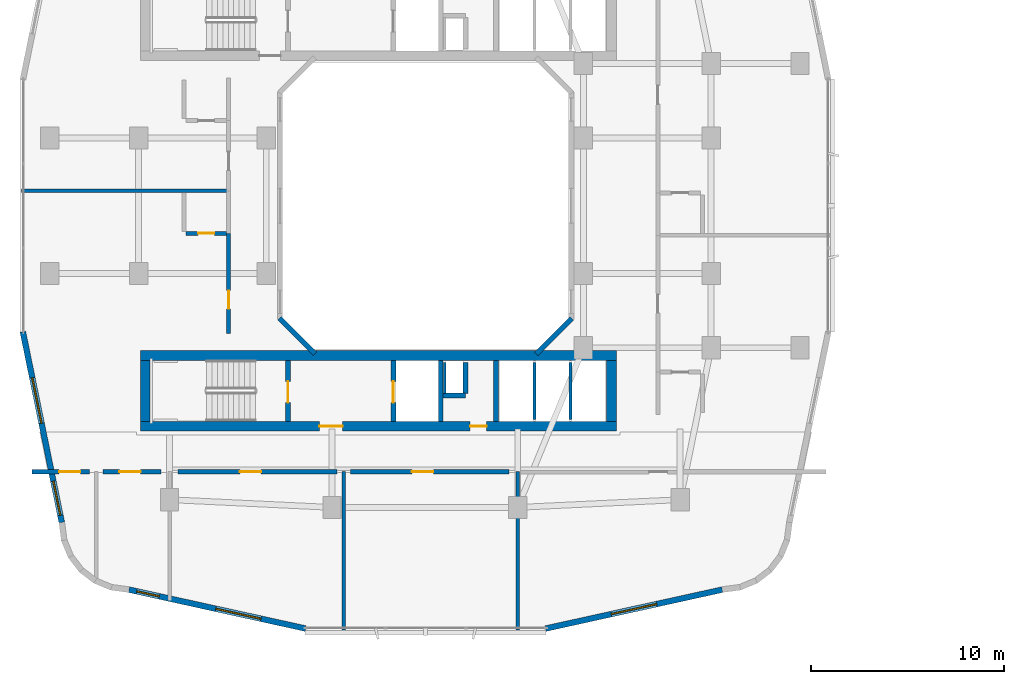
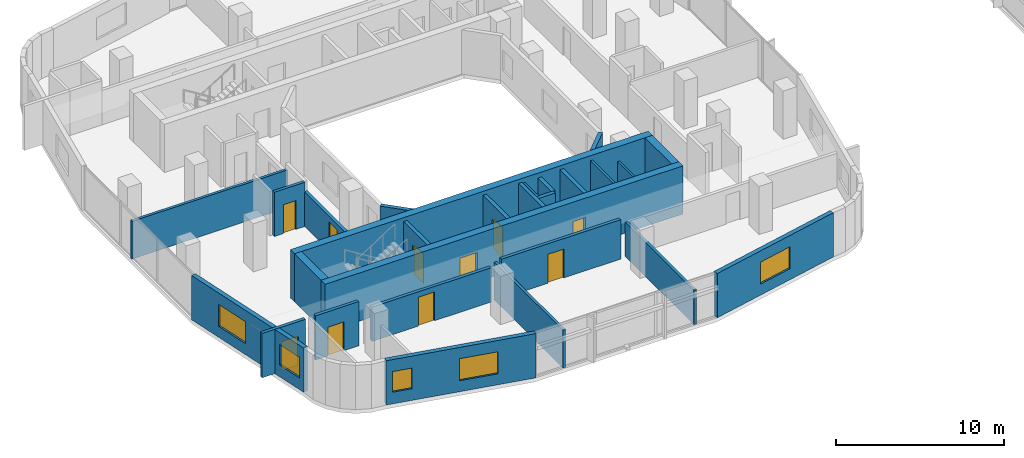
# One storey, part 13 of 26: 27 walls, 10 doors, 5 windows, 15 openings.
"""IFC4 building model written with IfcOpenShell, lengths in metres."""

from ifc_helpers import new_model, si_unit, derived_unit, direction, frame, frame_2d, origin, place, context, subcontext, project, spatial, rectangle, extrude, material, layer, layer_set, type_object, element, fill, save


model = new_model("IFC4")

# Units and contexts
model_context = context("Model", 3, precision=1e-05, world=origin(), true_north=direction((0.0, 1.0)))
body_context = subcontext(model_context, "Body", "Model", "MODEL_VIEW")
ifc_project = project(units=[si_unit("LENGTHUNIT", "METRE"), si_unit("AREAUNIT", "SQUARE_METRE"), si_unit("VOLUMEUNIT", "CUBIC_METRE"), si_unit("PLANEANGLEUNIT", "RADIAN"), si_unit("MASSUNIT", "GRAM", prefix="KILO"), derived_unit("THERMALTRANSMITTANCEUNIT", [(si_unit("POWERUNIT", "WATT"), 1), (si_unit("LENGTHUNIT", "METRE"), -2), (si_unit("THERMODYNAMICTEMPERATUREUNIT", "KELVIN"), -1)])], contexts=[model_context])

# Site, building, storey
site_placement = place(None, origin())
site = spatial("IfcSite", under=ifc_project, at=site_placement, CompositionType="ELEMENT")
building_placement = place(site_placement, origin())
building = spatial("IfcBuilding", under=site, at=building_placement, Name="Kivonza Crest Hotel", CompositionType="ELEMENT")
storey_placement = place(building_placement, frame((0.0, 0.0, 62.5)))
storey = spatial("IfcBuildingStorey", under=building, at=storey_placement, Name="L16", CompositionType="ELEMENT", Elevation=62.5)

# Walls
ifc_material_1 = material(Name="High-density acoustic masonry inter-tenancy wall", Category="masonry")
ifc_layer_1 = layer(ifc_material_1, 0.179931640625)
ifc_layer_set_1 = layer_set([ifc_layer_1], Name="High-density acoustic masonry inter-tenancy wall")
wall_type_1 = type_object("IfcWallType", Name="WL-ACOU-180", PredefinedType="SOLIDWALL", material=ifc_layer_set_1)
wall_1_placement = place(storey_placement, frame((16.800048828125, 3.06005859375, 0.0), z_axis=(0.0, 0.0, 1.0), x_axis=(0.0, 1.0, 0.0)))
element("IfcWall", 1, at=wall_1_placement, inside=storey, type_object=wall_type_1, Name="L16 interior partition WA-L16-T1S-SPDIV1", PredefinedType="SOLIDWALL", context=body_context, shape_type="SweptSolid", body=[
    extrude(rectangle(XDim=8.18994140625, YDim=0.179931640625, at=frame_2d((4.094970703125, 0.0))), origin(), (0.0, 0.0, 1.0), 2.7451171875),
])
wall_2_placement = place(storey_placement, frame((25.800048828125, 3.06005859375, 0.0), z_axis=(0.0, 0.0, 1.0), x_axis=(0.0, 1.0, 0.0)))
element("IfcWall", 2, at=wall_2_placement, inside=storey, type_object=wall_type_1, Name="L16 interior partition WA-L16-T1S-DIV2", PredefinedType="SOLIDWALL", context=body_context, shape_type="SweptSolid", body=[
    extrude(rectangle(XDim=8.18994140625, YDim=0.179931640625, at=frame_2d((4.094970703125, 0.0))), origin(), (0.0, 0.0, 1.0), 2.4951171875),
])
wall_3_placement = place(storey_placement, frame((0.139892578125, 25.77001953125, 0.0), z_axis=(0.0, 0.0, 1.0), x_axis=(1.0, 0.0, 0.0)))
element("IfcWall", 3, at=wall_3_placement, inside=storey, type_object=wall_type_1, Name="L16 interior partition WA-L16-T1W-DIV1", PredefinedType="SOLIDWALL", context=body_context, shape_type="SweptSolid", body=[
    extrude(rectangle(XDim=10.710205078125, YDim=0.179931640625, at=frame_2d((5.35498046875, 0.0))), origin(), (0.0, 0.0, 1.0), 2.7451171875),
])

# Wall, opening, door
ifc_material_2 = material(Name="Autoclaved aerated concrete blockwork", Category="masonry")
ifc_layer_2 = layer(ifc_material_2, 0.219970703125)
ifc_layer_set_2 = layer_set([ifc_layer_2], Name="Autoclaved aerated concrete blockwork")
wall_type_2 = type_object("IfcWallType", Name="WL-ACOU-220", PredefinedType="SOLIDWALL", material=ifc_layer_set_2)
wall_4_placement = place(storey_placement, frame((0.68994140625, 11.25, 0.0), z_axis=(0.0, 0.0, 1.0), x_axis=(1.0, 0.0, 0.0)))
wall_4 = element("IfcWall", 4, at=wall_4_placement, inside=storey, type_object=wall_type_2, Name="L16 interior partition WA-L16-Z1-BIZ0A-N", PredefinedType="SOLIDWALL", context=body_context, shape_type="SweptSolid", body=[
    extrude(rectangle(XDim=2.97998046875, YDim=0.219970703125, at=frame_2d((1.489990234375, 0.0))), origin(), (0.0, 0.0, 1.0), 3.219970703125),
])
opening_1_placement = place(wall_4_placement, frame((1.39599609375, 0.0, 0.0)))
opening_1 = element("IfcOpeningElement", 5, at=opening_1_placement, cuts=wall_4, Name="Opening DF-60M", PredefinedType="OPENING", context=body_context, shape_type="SweptSolid", body=[
    extrude(rectangle(XDim=1.10009765625, YDim=2.10009765625, at=frame_2d((0.550048828125, 1.050048828125))), frame((0.0, 0.1201171875, 0.0), z_axis=(0.0, -1.0, 0.0), x_axis=(1.0, 0.0, 0.0)), (0.0, 0.0, 1.0), 0.239990234375),
])
ifc_material_3 = material(Name="Hardwood timber oak", Category="wood")
door_type_1 = type_object("IfcDoorType", Name="DR-FD60-1100", OperationType="NOTDEFINED", PredefinedType="DOOR", material=ifc_material_3)
door_1_placement = place(opening_1_placement, frame((1.10009765625, 0.0, 0.0), z_axis=(0.0, 0.0, 1.0), x_axis=(-1.0, 0.0, 0.0)))
door_1 = element("IfcDoor", 6, at=door_1_placement, inside=storey, type_object=door_type_1, Name="L16 Executive Sky Business Office door", OperationType="SINGLE_SWING_RIGHT", OverallHeight=2.10009765625, OverallWidth=1.10009765625, PredefinedType="DOOR", context=body_context, shape_type="SweptSolid", body=[
    extrude(rectangle(XDim=1.10009765625, YDim=2.10009765625, at=frame_2d((0.550048828125, 1.050048828125))), frame((0.0, 0.02490234375, 0.0), z_axis=(0.0, -1.0, 0.0), x_axis=(1.0, 0.0, 0.0)), (0.0, 0.0, 1.0), 0.050048828125),
])
fill(opening_1, door_1)

wall_5_placement = place(storey_placement, frame((4.3701171875, 11.25, 0.0), z_axis=(0.0, 0.0, 1.0), x_axis=(1.0, 0.0, 0.0)))
wall_5 = element("IfcWall", 7, at=wall_5_placement, inside=storey, type_object=wall_type_2, Name="L16 interior partition WA-L16-Z1-BIZ0B-N", PredefinedType="SOLIDWALL", context=body_context, shape_type="SweptSolid", body=[
    extrude(rectangle(XDim=2.97998046875, YDim=0.219970703125, at=frame_2d((1.489990234375, 0.0))), origin(), (0.0, 0.0, 1.0), 3.219970703125),
])
opening_2_placement = place(wall_5_placement, frame((0.8359375, 0.0, 0.0)))
opening_2 = element("IfcOpeningElement", 8, at=opening_2_placement, cuts=wall_5, Name="Opening DF-60M", PredefinedType="OPENING", context=body_context, shape_type="SweptSolid", body=[
    extrude(rectangle(XDim=1.10009765625, YDim=2.10009765625, at=frame_2d((0.550048828125, 1.050048828125))), frame((0.0, 0.1201171875, 0.0), z_axis=(0.0, -1.0, 0.0), x_axis=(1.0, 0.0, 0.0)), (0.0, 0.0, 1.0), 0.239990234375),
])
door_2_placement = place(opening_2_placement, frame((1.10009765625, 0.0, 0.0), z_axis=(0.0, 0.0, 1.0), x_axis=(-1.0, 0.0, 0.0)))
door_2 = element("IfcDoor", 9, at=door_2_placement, inside=storey, type_object=door_type_1, Name="L16 Club Conference Boardroom door", OperationType="SINGLE_SWING_LEFT", OverallHeight=2.10009765625, OverallWidth=1.10009765625, PredefinedType="DOOR", context=body_context, shape_type="SweptSolid", body=[
    extrude(rectangle(XDim=1.10009765625, YDim=2.10009765625, at=frame_2d((0.550048828125, 1.050048828125))), frame((0.0, 0.02490234375, 0.0), z_axis=(0.0, -1.0, 0.0), x_axis=(1.0, 0.0, 0.0)), (0.0, 0.0, 1.0), 0.050048828125),
])
fill(opening_2, door_2)

wall_6_placement = place(storey_placement, frame((8.25, 11.25, 0.0), z_axis=(0.0, 0.0, 1.0), x_axis=(1.0, 0.0, 0.0)))
wall_6 = element("IfcWall", 10, at=wall_6_placement, inside=storey, type_object=wall_type_2, Name="L16 interior partition WA-L16-Z1-BIZ1A-N", PredefinedType="SOLIDWALL", context=body_context, shape_type="SweptSolid", body=[
    extrude(rectangle(XDim=8.199951171875, YDim=0.219970703125, at=frame_2d((4.10009765625, 0.0))), origin(), (0.0, 0.0, 1.0), 2.4951171875),
])
opening_3_placement = place(wall_6_placement, frame((3.18505859375, 0.0, 0.0)))
opening_3 = element("IfcOpeningElement", 11, at=opening_3_placement, cuts=wall_6, Name="Opening DF-60M", PredefinedType="OPENING", context=body_context, shape_type="SweptSolid", body=[
    extrude(rectangle(XDim=1.10009765625, YDim=2.10009765625, at=frame_2d((0.550048828125, 1.050048828125))), frame((0.0, 0.1201171875, 0.0), z_axis=(0.0, -1.0, 0.0), x_axis=(1.0, 0.0, 0.0)), (0.0, 0.0, 1.0), 0.239990234375),
])
door_3_placement = place(opening_3_placement, frame((1.10009765625, 0.0, 0.0), z_axis=(0.0, 0.0, 1.0), x_axis=(-1.0, 0.0, 0.0)))
door_3 = element("IfcDoor", 12, at=door_3_placement, inside=storey, type_object=door_type_1, Name="L16 Executive Sky Business Office door", OperationType="SINGLE_SWING_RIGHT", OverallHeight=2.10009765625, OverallWidth=1.10009765625, PredefinedType="DOOR", context=body_context, shape_type="SweptSolid", body=[
    extrude(rectangle(XDim=1.10009765625, YDim=2.10009765625, at=frame_2d((0.550048828125, 1.050048828125))), frame((0.0, 0.02490234375, 0.0), z_axis=(0.0, -1.0, 0.0), x_axis=(1.0, 0.0, 0.0)), (0.0, 0.0, 1.0), 0.050048828125),
])
fill(opening_3, door_3)

wall_7_placement = place(storey_placement, frame((17.14990234375, 11.25, 0.0), z_axis=(0.0, 0.0, 1.0), x_axis=(1.0, 0.0, 0.0)))
wall_7 = element("IfcWall", 13, at=wall_7_placement, inside=storey, type_object=wall_type_2, Name="L16 interior partition WA-L16-Z1-BIZ1B-N", PredefinedType="SOLIDWALL", context=body_context, shape_type="SweptSolid", body=[
    extrude(rectangle(XDim=8.2001953125, YDim=0.219970703125, at=frame_2d((4.10009765625, 0.0))), origin(), (0.0, 0.0, 1.0), 2.864990234375),
])
opening_4_placement = place(wall_7_placement, frame((3.18505859375, 0.0, 0.0)))
opening_4 = element("IfcOpeningElement", 14, at=opening_4_placement, cuts=wall_7, Name="Opening DF-60M", PredefinedType="OPENING", context=body_context, shape_type="SweptSolid", body=[
    extrude(rectangle(XDim=1.10009765625, YDim=2.10009765625, at=frame_2d((0.550048828125, 1.050048828125))), frame((0.0, 0.1201171875, 0.0), z_axis=(0.0, -1.0, 0.0), x_axis=(1.0, 0.0, 0.0)), (0.0, 0.0, 1.0), 0.239990234375),
])
door_4_placement = place(opening_4_placement, frame((1.10009765625, 0.0, 0.0), z_axis=(0.0, 0.0, 1.0), x_axis=(-1.0, 0.0, 0.0)))
door_4 = element("IfcDoor", 15, at=door_4_placement, inside=storey, type_object=door_type_1, Name="L16 Club Conference Boardroom door", OperationType="SINGLE_SWING_LEFT", OverallHeight=2.10009765625, OverallWidth=1.10009765625, PredefinedType="DOOR", context=body_context, shape_type="SweptSolid", body=[
    extrude(rectangle(XDim=1.10009765625, YDim=2.10009765625, at=frame_2d((0.550048828125, 1.050048828125))), frame((0.0, 0.02490234375, 0.0), z_axis=(0.0, -1.0, 0.0), x_axis=(1.0, 0.0, 0.0)), (0.0, 0.0, 1.0), 0.050048828125),
])
fill(opening_4, door_4)

wall_8_placement = place(storey_placement, frame((10.85009765625, 18.39990234375, 0.0), z_axis=(0.0, 0.0, 1.0), x_axis=(0.0, 1.0, 0.0)))
wall_8 = element("IfcWall", 16, at=wall_8_placement, inside=storey, type_object=wall_type_2, Name="L16 interior partition WA-L16-W02-MCORR", PredefinedType="SOLIDWALL", context=body_context, shape_type="SweptSolid", body=[
    extrude(rectangle(XDim=5.170166015625, YDim=0.219970703125, at=frame_2d((2.5849609375, 0.0))), origin(), (0.0, 0.0, 1.0), 2.4951171875),
])
opening_5_placement = place(wall_8_placement, frame((1.260009765625, 0.0, 0.0)))
opening_5 = element("IfcOpeningElement", 17, at=opening_5_placement, cuts=wall_8, Name="Opening DU-60", PredefinedType="OPENING", context=body_context, shape_type="SweptSolid", body=[
    extrude(rectangle(XDim=0.949951171875, YDim=2.10009765625, at=frame_2d((0.47509765625, 1.050048828125))), frame((0.0, 0.1201171875, 0.0), z_axis=(0.0, -1.0, 0.0), x_axis=(1.0, 0.0, 0.0)), (0.0, 0.0, 1.0), 0.239990234375),
])
door_type_2 = type_object("IfcDoorType", Name="DR-UNIT-950", OperationType="NOTDEFINED", PredefinedType="DOOR", material=ifc_material_3)
door_5_placement = place(opening_5_placement, origin())
door_5 = element("IfcDoor", 18, at=door_5_placement, inside=storey, type_object=door_type_2, Name="L16 W02 guest unit entrance fire door", OperationType="SINGLE_SWING_RIGHT", OverallHeight=2.10009765625, OverallWidth=0.949951171875, PredefinedType="DOOR", context=body_context, shape_type="SweptSolid", body=[
    extrude(rectangle(XDim=0.949951171875, YDim=2.10009765625, at=frame_2d((0.47509765625, 1.050048828125))), frame((0.0, 0.02490234375, 0.0), z_axis=(0.0, -1.0, 0.0), x_axis=(1.0, 0.0, 0.0)), (0.0, 0.0, 1.0), 0.050048828125),
])
fill(opening_5, door_5)

# Wall, openings, doors
ifc_material_4 = material(Name="Concrete C60/75", Category="concrete")
ifc_layer_3 = layer(ifc_material_4, 0.5)
ifc_layer_set_3 = layer_set([ifc_layer_3], Name="Concrete C60/75")
wall_type_3 = type_object("IfcWallType", Name="WL-CORE-500", PredefinedType="SHEAR", material=ifc_layer_set_3)
wall_9_placement = place(storey_placement, frame((6.300048828125, 13.590087890625, 0.0), z_axis=(0.0, 0.0, 1.0), x_axis=(1.0, 0.0, 0.0)))
wall_9 = element("IfcWall", 19, at=wall_9_placement, inside=storey, type_object=wall_type_3, Name="Core wall T1-S South L16", PredefinedType="SHEAR", context=body_context, shape_type="SweptSolid", body=[
    extrude(rectangle(XDim=24.599853515625, YDim=0.5, at=frame_2d((12.2998046875, 0.0))), origin(), (0.0, 0.0, 1.0), 3.5),
])
opening_6_placement = place(wall_9_placement, frame((9.25, 0.0, 0.0)))
opening_6 = element("IfcOpeningElement", 20, at=opening_6_placement, cuts=wall_9, Name="Opening DF-60", PredefinedType="OPENING", context=body_context, shape_type="SweptSolid", body=[
    extrude(rectangle(XDim=1.199951171875, YDim=2.14990234375, at=frame_2d((0.60009765625, 1.074951171875))), frame((0.0, 0.260009765625, 0.0), z_axis=(0.0, -1.0, 0.0), x_axis=(1.0, 0.0, 0.0)), (0.0, 0.0, 1.0), 0.52001953125),
])
opening_7_placement = place(wall_9_placement, frame((17.0400390625, 0.0, 0.0)))
opening_7 = element("IfcOpeningElement", 21, at=opening_7_placement, cuts=wall_9, Name="Opening DF-60R", PredefinedType="OPENING", context=body_context, shape_type="SweptSolid", body=[
    extrude(rectangle(XDim=0.85009765625, YDim=2.10009765625, at=frame_2d((0.425048828125, 1.050048828125))), frame((0.0, 0.260009765625, 0.0), z_axis=(0.0, -1.0, 0.0), x_axis=(1.0, 0.0, 0.0)), (0.0, 0.0, 1.0), 0.52001953125),
])
door_type_3 = type_object("IfcDoorType", Name="DR-FD60-1200", OperationType="NOTDEFINED", PredefinedType="DOOR", material=ifc_material_3)
door_6_placement = place(opening_6_placement, frame((1.199951171875, 0.0, 0.0), z_axis=(0.0, 0.0, 1.0), x_axis=(-1.0, 0.0, 0.0)))
door_6 = element("IfcDoor", 22, at=door_6_placement, inside=storey, type_object=door_type_3, Name="L16 T1-S firefighting lobby fire door", OperationType="SINGLE_SWING_LEFT", OverallHeight=2.14990234375, OverallWidth=1.199951171875, PredefinedType="DOOR", context=body_context, shape_type="SweptSolid", body=[
    extrude(rectangle(XDim=1.199951171875, YDim=2.14990234375, at=frame_2d((0.60009765625, 1.074951171875))), frame((0.0, 0.02490234375, 0.0), z_axis=(0.0, -1.0, 0.0), x_axis=(1.0, 0.0, 0.0)), (0.0, 0.0, 1.0), 0.050048828125),
])
fill(opening_6, door_6)
door_type_4 = type_object("IfcDoorType", Name="DR-FD60-850", OperationType="NOTDEFINED", PredefinedType="DOOR", material=ifc_material_3)
door_7_placement = place(opening_7_placement, frame((0.85009765625, 0.0, 0.0), z_axis=(0.0, 0.0, 1.0), x_axis=(-1.0, 0.0, 0.0)))
door_7 = element("IfcDoor", 23, at=door_7_placement, inside=storey, type_object=door_type_4, Name="L16 T1-S core room door", OperationType="SINGLE_SWING_RIGHT", OverallHeight=2.10009765625, OverallWidth=0.85009765625, PredefinedType="DOOR", context=body_context, shape_type="SweptSolid", body=[
    extrude(rectangle(XDim=0.85009765625, YDim=2.10009765625, at=frame_2d((0.425048828125, 1.050048828125))), frame((0.0, 0.02490234375, 0.0), z_axis=(0.0, -1.0, 0.0), x_axis=(1.0, 0.0, 0.0)), (0.0, 0.0, 1.0), 0.050048828125),
])
fill(opening_7, door_7)

# Walls
wall_10_placement = place(storey_placement, frame((6.300048828125, 17.25, 0.0), z_axis=(0.0, 0.0, 1.0), x_axis=(1.0, 0.0, 0.0)))
element("IfcWall", 24, at=wall_10_placement, inside=storey, type_object=wall_type_3, Name="Core wall T1-S North L16", PredefinedType="SHEAR", context=body_context, shape_type="SweptSolid", body=[
    extrude(rectangle(XDim=24.599853515625, YDim=0.5, at=frame_2d((12.2998046875, 0.0))), origin(), (0.0, 0.0, 1.0), 3.5),
])
for number, where, z_axis, x_axis, name in (
    (25, (6.550048828125, 13.840087890625, 0.0), (0.0, 0.0, 1.0), (0.0, 1.0, 0.0), "Core wall T1-S West L16"),
    (26, (30.64990234375, 13.840087890625, 0.0), (0.0, 0.0, 1.0), (0.0, 1.0, 0.0), "Core wall T1-S East L16"),
):
    element("IfcWall", number, at=place(storey_placement, frame(where, z_axis=z_axis, x_axis=x_axis)), inside=storey, type_object=wall_type_3, Name=name, PredefinedType="SHEAR", context=body_context, shape_type="SweptSolid", body=[
        extrude(rectangle(XDim=3.159912109375, YDim=0.5, at=frame_2d((1.580078125, 0.0))), origin(), (0.0, 0.0, 1.0), 3.5),
    ])
ifc_material_5 = material(Name="Precast concrete C40/50", Category="concrete")
ifc_layer_4 = layer(ifc_material_5, 0.260009765625)
ifc_layer_set_4 = layer_set([ifc_layer_4], Name="Precast concrete C40/50")
wall_type_4 = type_object("IfcWallType", Name="WL-EXT-260", PredefinedType="STANDARD", material=ifc_layer_set_4)
wall_11_placement = place(storey_placement, frame((26.761962890625, 17.337890625, 0.0), z_axis=(0.0, 0.0, 1.0), x_axis=(0.707059717605, 0.707153841636, 0.0)))
element("IfcWall", 27, at=wall_11_placement, inside=storey, type_object=wall_type_4, Name="L16 T1 light-well exterior wall 2", PredefinedType="STANDARD", context=body_context, shape_type="SweptSolid", body=[
    extrude(rectangle(XDim=2.59375, YDim=0.260009765625, at=frame_2d((1.296875, 0.0))), origin(), (0.0, 0.0, 1.0), 3.219970703125),
])
wall_12_placement = place(storey_placement, frame((13.48388671875, 19.172119140625, 0.0), z_axis=(0.0, 0.0, 1.0), x_axis=(0.707106781187, -0.707106781187, 0.0)))
element("IfcWall", 28, at=wall_12_placement, inside=storey, type_object=wall_type_4, Name="L16 T1 light-well exterior wall 8", PredefinedType="STANDARD", context=body_context, shape_type="SweptSolid", body=[
    extrude(rectangle(XDim=2.593994140625, YDim=0.260009765625, at=frame_2d((1.296875, 0.0))), origin(), (0.0, 0.0, 1.0), 3.219970703125),
])

# Wall, openings, windows
ifc_layer_5 = layer(ifc_material_5, 0.300048828125)
ifc_layer_set_5 = layer_set([ifc_layer_5], Name="Precast concrete C40/50")
wall_type_5 = type_object("IfcWallType", Name="WL-EXT-300", PredefinedType="STANDARD", material=ifc_layer_set_5)
wall_13_placement = place(storey_placement, frame((5.7041015625, 5.14794921875, 0.0), z_axis=(0.0, 0.0, 1.0), x_axis=(0.9765437942, -0.215318875183, 0.0)))
wall_13 = element("IfcWall", 29, at=wall_13_placement, inside=storey, type_object=wall_type_5, Name="L16 T1 exterior insulated wall 7", PredefinedType="STANDARD", context=body_context, shape_type="SweptSolid", body=[
    extrude(rectangle(XDim=9.353271484375, YDim=0.300048828125, at=frame_2d((4.6767578125, 0.0))), origin(), (0.0, 0.0, 1.0), 3.219970703125),
])
opening_8_placement = place(wall_13_placement, frame((0.407958984375, 0.0, 0.85009765625)))
opening_8 = element("IfcOpeningElement", 30, at=opening_8_placement, cuts=wall_13, Name="Opening WN-01", PredefinedType="OPENING", context=body_context, shape_type="SweptSolid", body=[
    extrude(rectangle(XDim=1.199951171875, YDim=1.5, at=frame_2d((0.60009765625, 0.75))), frame((0.0, 0.16015625, 0.0), z_axis=(0.0, -1.0, 0.0), x_axis=(1.0, 0.0, 0.0)), (0.0, 0.0, 1.0), 0.320068359375),
])
opening_9_placement = place(wall_13_placement, frame((4.590087890625, 0.0, 0.800048828125)))
opening_9 = element("IfcOpeningElement", 31, at=opening_9_placement, cuts=wall_13, Name="Opening WN-05", PredefinedType="OPENING", context=body_context, shape_type="SweptSolid", body=[
    extrude(rectangle(XDim=2.39990234375, YDim=1.60009765625, at=frame_2d((1.199951171875, 0.800048828125))), frame((0.0, 0.16015625, 0.0), z_axis=(0.0, -1.0, 0.0), x_axis=(1.0, 0.0, 0.0)), (0.0, 0.0, 1.0), 0.320068359375),
])
ifc_material_6 = material(Name="Thermally broken bronze aluminium and low-E double glazing", Category="aluminium")
window_type_1 = type_object("IfcWindowType", Name="WN-120x150", PartitioningType="SINGLE_PANEL", PredefinedType="WINDOW", material=ifc_material_6)
window_1_placement = place(opening_8_placement, origin())
window_1 = element("IfcWindow", 32, at=window_1_placement, inside=storey, type_object=window_type_1, Name="L16 T1 facade window 7 bay 1", OverallHeight=1.5, OverallWidth=1.199951171875, PartitioningType="SINGLE_PANEL", PredefinedType="WINDOW", context=body_context, shape_type="SweptSolid", body=[
    extrude(rectangle(XDim=1.199951171875, YDim=1.5, at=frame_2d((0.60009765625, 0.75))), frame((0.0, 0.030029296875, 0.0), z_axis=(0.0, -1.0, 0.0), x_axis=(1.0, 0.0, 0.0)), (0.0, 0.0, 1.0), 0.06005859375),
])
fill(opening_8, window_1)
window_type_2 = type_object("IfcWindowType", Name="WN-240x160", PartitioningType="TRIPLE_PANEL_VERTICAL", PredefinedType="WINDOW", material=ifc_material_6)
window_2_placement = place(opening_9_placement, origin())
window_2 = element("IfcWindow", 33, at=window_2_placement, inside=storey, type_object=window_type_2, Name="L16 T1 facade window 7 bay 2", OverallHeight=1.60009765625, OverallWidth=2.39990234375, PartitioningType="SINGLE_PANEL", PredefinedType="WINDOW", context=body_context, shape_type="SweptSolid", body=[
    extrude(rectangle(XDim=2.39990234375, YDim=1.60009765625, at=frame_2d((1.199951171875, 0.800048828125))), frame((0.0, 0.030029296875, 0.0), z_axis=(0.0, -1.0, 0.0), x_axis=(1.0, 0.0, 0.0)), (0.0, 0.0, 1.0), 0.06005859375),
])
fill(opening_9, window_2)

# Wall, opening, window
wall_14_placement = place(storey_placement, frame((27.241943359375, 3.134033203125, 0.0), z_axis=(0.0, 0.0, 1.0), x_axis=(0.97654500432, 0.215313386808, 0.0)))
wall_14 = element("IfcWall", 34, at=wall_14_placement, inside=storey, type_object=wall_type_5, Name="L16 T1 exterior insulated wall 9", PredefinedType="STANDARD", context=body_context, shape_type="SweptSolid", body=[
    extrude(rectangle(XDim=9.353515625, YDim=0.300048828125, at=frame_2d((4.6767578125, 0.0))), origin(), (0.0, 0.0, 1.0), 3.219970703125),
])
opening_10_placement = place(wall_14_placement, frame((3.47705078125, 0.0, 0.800048828125)))
opening_10 = element("IfcOpeningElement", 35, at=opening_10_placement, cuts=wall_14, Name="Opening WN-05", PredefinedType="OPENING", context=body_context, shape_type="SweptSolid", body=[
    extrude(rectangle(XDim=2.39990234375, YDim=1.60009765625, at=frame_2d((1.199951171875, 0.800048828125))), frame((0.0, 0.16015625, 0.0), z_axis=(0.0, -1.0, 0.0), x_axis=(1.0, 0.0, 0.0)), (0.0, 0.0, 1.0), 0.320068359375),
])
window_3_placement = place(opening_10_placement, origin())
window_3 = element("IfcWindow", 36, at=window_3_placement, inside=storey, type_object=window_type_2, Name="L16 T1 facade window 9", OverallHeight=1.60009765625, OverallWidth=2.39990234375, PartitioningType="SINGLE_PANEL", PredefinedType="WINDOW", context=body_context, shape_type="SweptSolid", body=[
    extrude(rectangle(XDim=2.39990234375, YDim=1.60009765625, at=frame_2d((1.199951171875, 0.800048828125))), frame((0.0, 0.030029296875, 0.0), z_axis=(0.0, -1.0, 0.0), x_axis=(1.0, 0.0, 0.0)), (0.0, 0.0, 1.0), 0.06005859375),
])
fill(opening_10, window_3)

# Wall, openings, windows
wall_15_placement = place(storey_placement, frame((0.216064453125, 18.48388671875, 0.0), z_axis=(0.0, 0.0, 1.0), x_axis=(0.199990901713, -0.979797754249, 0.0)))
wall_15 = element("IfcWall", 37, at=wall_15_placement, inside=storey, type_object=wall_type_5, Name="L16 T1 exterior insulated wall 36", PredefinedType="STANDARD", context=body_context, shape_type="SweptSolid", body=[
    extrude(rectangle(XDim=10.065185546875, YDim=0.300048828125, at=frame_2d((5.03271484375, 0.0))), origin(), (0.0, 0.0, 1.0), 3.219970703125),
])
opening_11_placement = place(wall_15_placement, frame((2.428955078125, 0.0, 0.800048828125)))
opening_11 = element("IfcOpeningElement", 38, at=opening_11_placement, cuts=wall_15, Name="Opening WN-05", PredefinedType="OPENING", context=body_context, shape_type="SweptSolid", body=[
    extrude(rectangle(XDim=2.39990234375, YDim=1.60009765625, at=frame_2d((1.199951171875, 0.800048828125))), frame((0.0, 0.16015625, 0.0), z_axis=(0.0, -1.0, 0.0), x_axis=(1.0, 0.0, 0.0)), (0.0, 0.0, 1.0), 0.320068359375),
])
opening_12_placement = place(wall_15_placement, frame((7.886962890625, 0.0, 0.85009765625)))
opening_12 = element("IfcOpeningElement", 39, at=opening_12_placement, cuts=wall_15, Name="Opening WN-03", PredefinedType="OPENING", context=body_context, shape_type="SweptSolid", body=[
    extrude(rectangle(XDim=1.800048828125, YDim=1.5, at=frame_2d((0.89990234375, 0.75))), frame((0.0, 0.16015625, 0.0), z_axis=(0.0, -1.0, 0.0), x_axis=(1.0, 0.0, 0.0)), (0.0, 0.0, 1.0), 0.320068359375),
])
window_type_3 = type_object("IfcWindowType", Name="WN-180x150", PartitioningType="DOUBLE_PANEL_VERTICAL", PredefinedType="WINDOW", material=ifc_material_6)
window_4_placement = place(opening_12_placement, origin())
window_4 = element("IfcWindow", 40, at=window_4_placement, inside=storey, type_object=window_type_3, Name="L16 T1 facade window 36 bay 2", OverallHeight=1.5, OverallWidth=1.800048828125, PartitioningType="SINGLE_PANEL", PredefinedType="WINDOW", context=body_context, shape_type="SweptSolid", body=[
    extrude(rectangle(XDim=1.800048828125, YDim=1.5, at=frame_2d((0.89990234375, 0.75))), frame((0.0, 0.030029296875, 0.0), z_axis=(0.0, -1.0, 0.0), x_axis=(1.0, 0.0, 0.0)), (0.0, 0.0, 1.0), 0.06005859375),
])
fill(opening_12, window_4)
window_5_placement = place(opening_11_placement, origin())
window_5 = element("IfcWindow", 41, at=window_5_placement, inside=storey, type_object=window_type_2, Name="L16 T1 facade window 36 bay 1", OverallHeight=1.60009765625, OverallWidth=2.39990234375, PartitioningType="SINGLE_PANEL", PredefinedType="WINDOW", context=body_context, shape_type="SweptSolid", body=[
    extrude(rectangle(XDim=2.39990234375, YDim=1.60009765625, at=frame_2d((1.199951171875, 0.800048828125))), frame((0.0, 0.030029296875, 0.0), z_axis=(0.0, -1.0, 0.0), x_axis=(1.0, 0.0, 0.0)), (0.0, 0.0, 1.0), 0.06005859375),
])
fill(opening_11, window_5)

# Walls
ifc_material_7 = material(Name="Concrete blockwork fire-compartment wall", Category="masonry")
ifc_layer_6 = layer(ifc_material_7, 0.25)
ifc_layer_set_6 = layer_set([ifc_layer_6], Name="Concrete blockwork fire-compartment wall")
wall_type_6 = type_object("IfcWallType", Name="WL-FIRE-250", PredefinedType="SOLIDWALL", material=ifc_layer_set_6)
wall_16_placement = place(storey_placement, frame((23.10009765625, 15.280029296875, 0.0), z_axis=(0.0, 0.0, 1.0), x_axis=(0.0, 1.0, 0.0)))
element("IfcWall", 42, at=wall_16_placement, inside=storey, type_object=wall_type_6, Name="L16 interior partition WA-L16-T1-S-MEPR-E", PredefinedType="SOLIDWALL", context=body_context, shape_type="SweptSolid", body=[
    extrude(rectangle(XDim=1.619873046875, YDim=0.25, at=frame_2d((0.81005859375, 0.0))), origin(), (0.0, 0.0, 1.0), 3.219970703125),
])
wall_17_placement = place(storey_placement, frame((21.949951171875, 15.179931640625, 0.0), z_axis=(0.0, 0.0, 1.0), x_axis=(1.0, 0.0, 0.0)))
element("IfcWall", 43, at=wall_17_placement, inside=storey, type_object=wall_type_6, Name="L16 interior partition WA-L16-T1-S-MEPR-H", PredefinedType="SOLIDWALL", context=body_context, shape_type="SweptSolid", body=[
    extrude(rectangle(XDim=1.150146484375, YDim=0.25, at=frame_2d((0.5751953125, 0.0))), origin(), (0.0, 0.0, 1.0), 3.219970703125),
])
ifc_material_8 = material(Name="Twin-stud acoustic gypsum board partition", Category="gypsum")
ifc_layer_7 = layer(ifc_material_8, 0.14990234375)
ifc_layer_set_7 = layer_set([ifc_layer_7], Name="Twin-stud acoustic gypsum board partition")
wall_type_7 = type_object("IfcWallType", Name="WL-PART-150", PredefinedType="PARTITIONING", material=ifc_layer_set_7)
wall_18_placement = place(storey_placement, frame((22.030029296875, 15.280029296875, 0.0), z_axis=(0.0, 0.0, 1.0), x_axis=(0.0, 1.0, 0.0)))
element("IfcWall", 44, at=wall_18_placement, inside=storey, type_object=wall_type_7, Name="L16 interior partition WA-L16-T1-S-MEPR-W", PredefinedType="PARTITIONING", context=body_context, shape_type="SweptSolid", body=[
    extrude(rectangle(XDim=1.619873046875, YDim=0.14990234375, at=frame_2d((0.81005859375, 0.0))), origin(), (0.0, 0.0, 1.0), 3.219970703125),
])
wall_19_placement = place(storey_placement, frame((26.6669921875, 13.93994140625, 0.0), z_axis=(0.0, 0.0, 1.0), x_axis=(0.0, 1.0, 0.0)))
element("IfcWall", 45, at=wall_19_placement, inside=storey, type_object=wall_type_7, Name="L16 interior partition WP-L16-T1-S-BSH-1", PredefinedType="PARTITIONING", context=body_context, shape_type="SweptSolid", body=[
    extrude(rectangle(XDim=2.9599609375, YDim=0.14990234375, at=frame_2d((1.47998046875, 0.0))), origin(), (0.0, 0.0, 1.0), 3.219970703125),
])
wall_20_placement = place(storey_placement, frame((28.532958984375, 13.93994140625, 0.0), z_axis=(0.0, 0.0, 1.0), x_axis=(0.0, 1.0, 0.0)))
element("IfcWall", 46, at=wall_20_placement, inside=storey, type_object=wall_type_7, Name="L16 interior partition WP-L16-T1-S-BSH-2", PredefinedType="PARTITIONING", context=body_context, shape_type="SweptSolid", body=[
    extrude(rectangle(XDim=2.9599609375, YDim=0.14990234375, at=frame_2d((1.47998046875, 0.0))), origin(), (0.0, 0.0, 1.0), 2.4951171875),
])

# Wall, opening, door
ifc_material_9 = material(Name="Moisture-resistant plumbing chase partition wall", Category="gypsum")
ifc_layer_8 = layer(ifc_material_9, 0.199951171875)
ifc_layer_set_8 = layer_set([ifc_layer_8], Name="Moisture-resistant plumbing chase partition wall")
wall_type_8 = type_object("IfcWallType", Name="WL-PLUMB-200", PredefinedType="PLUMBINGWALL", material=ifc_layer_set_8)
wall_21_placement = place(storey_placement, frame((8.64990234375, 23.570068359375, 0.0), z_axis=(0.0, 0.0, 1.0), x_axis=(1.0, 0.0, 0.0)))
wall_21 = element("IfcWall", 47, at=wall_21_placement, inside=storey, type_object=wall_type_8, Name="L16 interior partition WW-L16-W02-BH", PredefinedType="PLUMBINGWALL", context=body_context, shape_type="SweptSolid", body=[
    extrude(rectangle(XDim=2.10009765625, YDim=0.199951171875, at=frame_2d((1.050048828125, 0.0))), origin(), (0.0, 0.0, 1.0), 3.219970703125),
])
opening_13_placement = place(wall_21_placement, frame((0.625, 0.0, 0.0)))
opening_13 = element("IfcOpeningElement", 48, at=opening_13_placement, cuts=wall_21, Name="Opening DI-85", PredefinedType="OPENING", context=body_context, shape_type="SweptSolid", body=[
    extrude(rectangle(XDim=0.85009765625, YDim=2.10009765625, at=frame_2d((0.425048828125, 1.050048828125))), frame((0.0, 0.10986328125, 0.0), z_axis=(0.0, -1.0, 0.0), x_axis=(1.0, 0.0, 0.0)), (0.0, 0.0, 1.0), 0.219970703125),
])
door_type_5 = type_object("IfcDoorType", Name="DR-INT-850", OperationType="NOTDEFINED", PredefinedType="DOOR", material=ifc_material_3)
door_8_placement = place(opening_13_placement, frame((0.85009765625, 0.0, 0.0), z_axis=(0.0, 0.0, 1.0), x_axis=(-1.0, 0.0, 0.0)))
door_8 = element("IfcDoor", 49, at=door_8_placement, inside=storey, type_object=door_type_5, Name="L16 W02 en-suite bathroom door", OperationType="SINGLE_SWING_LEFT", OverallHeight=2.10009765625, OverallWidth=0.85009765625, PredefinedType="DOOR", context=body_context, shape_type="SweptSolid", body=[
    extrude(rectangle(XDim=0.85009765625, YDim=2.10009765625, at=frame_2d((0.425048828125, 1.050048828125))), frame((0.0, 0.02490234375, 0.0), z_axis=(0.0, -1.0, 0.0), x_axis=(1.0, 0.0, 0.0)), (0.0, 0.0, 1.0), 0.050048828125),
])
fill(opening_13, door_8)

ifc_material_10 = material(Name="Concrete C50/60", Category="concrete")
ifc_layer_9 = layer(ifc_material_10, 0.25)
ifc_layer_set_9 = layer_set([ifc_layer_9], Name="Concrete C50/60")
wall_type_9 = type_object("IfcWallType", Name="WL-SHAFT-250", PredefinedType="STANDARD", material=ifc_layer_set_9)
wall_22_placement = place(storey_placement, frame((13.925048828125, 13.840087890625, 0.0), z_axis=(0.0, 0.0, 1.0), x_axis=(0.0, 1.0, 0.0)))
wall_22 = element("IfcWall", 50, at=wall_22_placement, inside=storey, type_object=wall_type_9, Name="Core shaft wall T1-S STAIR L16", PredefinedType="STANDARD", context=body_context, shape_type="SweptSolid", body=[
    extrude(rectangle(XDim=3.159912109375, YDim=0.25, at=frame_2d((1.580078125, 0.0))), origin(), (0.0, 0.0, 1.0), 3.219970703125),
])
opening_14_placement = place(wall_22_placement, frame((0.97998046875, 0.0, 0.0)))
opening_14 = element("IfcOpeningElement", 51, at=opening_14_placement, cuts=wall_22, Name="Opening DF-120", PredefinedType="OPENING", context=body_context, shape_type="SweptSolid", body=[
    extrude(rectangle(XDim=1.10009765625, YDim=2.14990234375, at=frame_2d((0.550048828125, 1.074951171875))), frame((0.0, 0.135009765625, 0.0), z_axis=(0.0, -1.0, 0.0), x_axis=(1.0, 0.0, 0.0)), (0.0, 0.0, 1.0), 0.27001953125),
])
ifc_material_11 = material(Name="Galvanised steel", Category="steel")
door_type_6 = type_object("IfcDoorType", Name="DR-FD120-1100", OperationType="NOTDEFINED", PredefinedType="DOOR", material=ifc_material_11)
door_9_placement = place(opening_14_placement, frame((1.10009765625, 0.0, 0.0), z_axis=(0.0, 0.0, 1.0), x_axis=(-1.0, 0.0, 0.0)))
door_9 = element("IfcDoor", 52, at=door_9_placement, inside=storey, type_object=door_type_6, Name="L16 T1-S stair fire door", OperationType="SINGLE_SWING_RIGHT", OverallHeight=2.14990234375, OverallWidth=1.10009765625, PredefinedType="DOOR", context=body_context, shape_type="SweptSolid", body=[
    extrude(rectangle(XDim=1.10009765625, YDim=2.14990234375, at=frame_2d((0.550048828125, 1.074951171875))), frame((0.0, 0.02490234375, 0.0), z_axis=(0.0, -1.0, 0.0), x_axis=(1.0, 0.0, 0.0)), (0.0, 0.0, 1.0), 0.050048828125),
])
fill(opening_14, door_9)

wall_23_placement = place(storey_placement, frame((19.375, 13.840087890625, 0.0), z_axis=(0.0, 0.0, 1.0), x_axis=(0.0, 1.0, 0.0)))
wall_23 = element("IfcWall", 53, at=wall_23_placement, inside=storey, type_object=wall_type_9, Name="Core shaft wall T1-S FFL-W L16", PredefinedType="STANDARD", context=body_context, shape_type="SweptSolid", body=[
    extrude(rectangle(XDim=3.159912109375, YDim=0.25, at=frame_2d((1.580078125, 0.0))), origin(), (0.0, 0.0, 1.0), 3.219970703125),
])
opening_15_placement = place(wall_23_placement, frame((0.97998046875, 0.0, 0.0)))
opening_15 = element("IfcOpeningElement", 54, at=opening_15_placement, cuts=wall_23, Name="Opening LD-120", PredefinedType="OPENING", context=body_context, shape_type="SweptSolid", body=[
    extrude(rectangle(XDim=1.10009765625, YDim=2.14990234375, at=frame_2d((0.550048828125, 1.074951171875))), frame((0.0, 0.135009765625, 0.0), z_axis=(0.0, -1.0, 0.0), x_axis=(1.0, 0.0, 0.0)), (0.0, 0.0, 1.0), 0.27001953125),
])
ifc_material_12 = material(Name="Stainless steel", Category="steel")
door_type_7 = type_object("IfcDoorType", Name="DR-LD120-1100", OperationType="NOTDEFINED", PredefinedType="DOOR", material=ifc_material_12)
door_10_placement = place(opening_15_placement, origin())
door_10 = element("IfcDoor", 55, at=door_10_placement, inside=storey, type_object=door_type_7, Name="L16 FFL-T1-S firefighting lift sliding landing door", OperationType="DOUBLE_DOOR_SLIDING", OverallHeight=2.14990234375, OverallWidth=1.10009765625, PredefinedType="DOOR", context=body_context, shape_type="SweptSolid", body=[
    extrude(rectangle(XDim=1.10009765625, YDim=2.14990234375, at=frame_2d((0.550048828125, 1.074951171875))), frame((0.0, 0.02490234375, 0.0), z_axis=(0.0, -1.0, 0.0), x_axis=(1.0, 0.0, 0.0)), (0.0, 0.0, 1.0), 0.050048828125),
])
fill(opening_15, door_10)

# Walls
for number, where, z_axis, x_axis, name in (
    (56, (21.824951171875, 13.840087890625, 0.0), (0.0, 0.0, 1.0), (0.0, 1.0, 0.0), "Core shaft wall T1-S FFL-E L16"),
    (57, (24.675048828125, 13.840087890625, 0.0), (0.0, 0.0, 1.0), (0.0, 1.0, 0.0), "Core shaft wall T1-S BANK-W L16"),
):
    element("IfcWall", number, at=place(storey_placement, frame(where, z_axis=z_axis, x_axis=x_axis)), inside=storey, type_object=wall_type_9, Name=name, PredefinedType="STANDARD", context=body_context, shape_type="SweptSolid", body=[
        extrude(rectangle(XDim=3.159912109375, YDim=0.25, at=frame_2d((1.580078125, 0.0))), origin(), (0.0, 0.0, 1.0), 3.219970703125),
    ])

save(model, "model.ifc")
